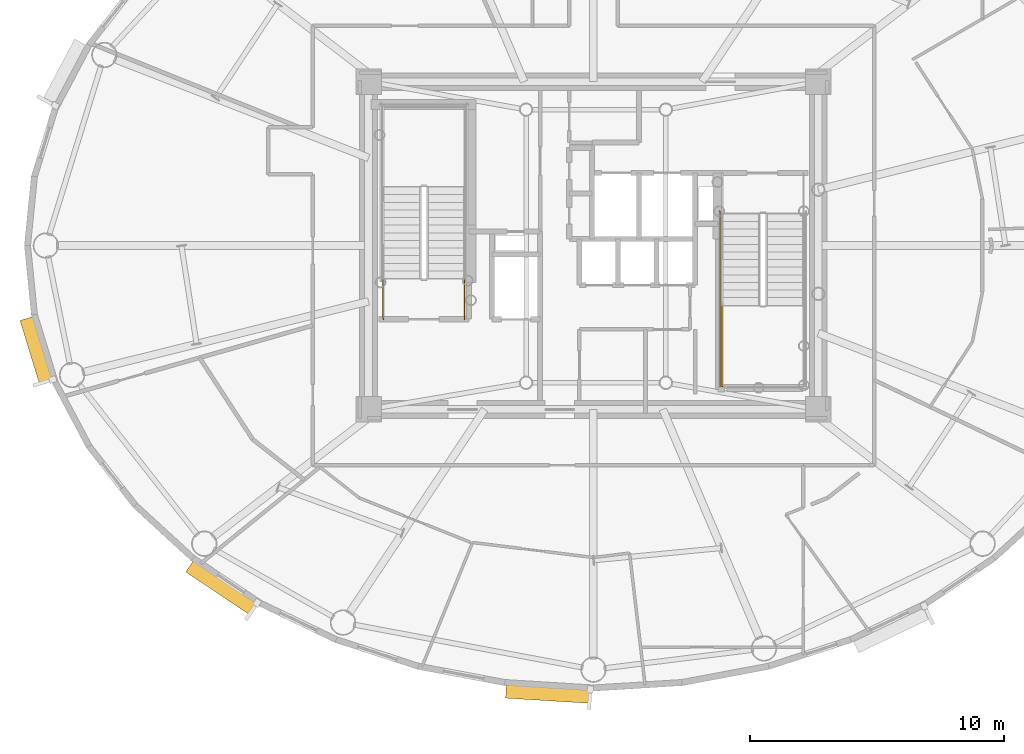
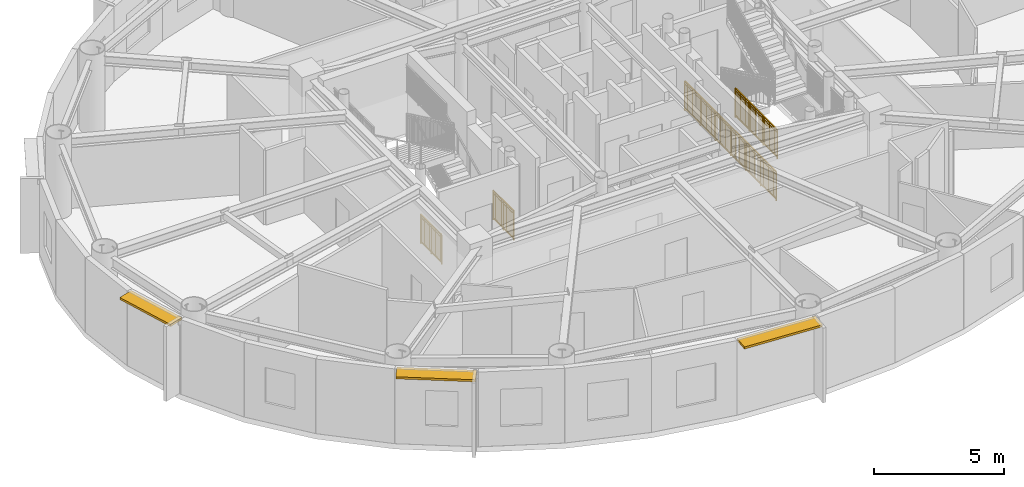
# One storey, part 11 of 17: 4 railings, 3 shading devices.
"""IFC4 building model written with IfcOpenShell, lengths in metres."""

import ifcopenshell
import ifcopenshell.guid

model = None  # the IFC model being written
_history = None  # IfcOwnerHistory: only IFC2X3 demands one
_inside = {}  # id of a spatial element -> (the spatial element, [elements in it])
_under = {}  # id of a project, library or spatial element -> (it, [spatial elements below it])
_declared = {}  # id of a project -> (the project, [libraries it declares])
_typed = {}  # id of a type object -> (the type object, [elements of that type])
_made_of = {}  # id of a material, layer set ... -> (it, [elements and type objects made of it])


def new_model(schema):
    """Start an empty IFC model of exactly this schema.

    Asked for "IFC4X3", IfcOpenShell would pick the latest addendum, in which some entities
    have other attributes; the version numbers below select the first issue.
    IFC2X3 requires an IfcOwnerHistory on every rooted entity: one is made here for all.
    """
    global model, _history
    if schema == "IFC4X3":
        model = ifcopenshell.file(schema_version=(4, 3, 0, 0))
    else:
        model = ifcopenshell.file(schema=schema)
    _inside.clear()
    _under.clear()
    _declared.clear()
    _typed.clear()
    _made_of.clear()
    _history = None
    if model.schema == "IFC2X3":
        org = make("IfcOrganization", Name="unknown")
        user = make(
            "IfcPersonAndOrganization",
            ThePerson=make("IfcPerson", FamilyName="unknown"),
            TheOrganization=org,
        )
        app = make(
            "IfcApplication",
            ApplicationDeveloper=org,
            Version="unknown",
            ApplicationFullName="unknown",
            ApplicationIdentifier="unknown",
        )
        _history = make(
            "IfcOwnerHistory",
            OwningUser=user,
            OwningApplication=app,
            ChangeAction="ADDED",
            CreationDate=0,
        )
    return model


def make(cls, **values):
    """One entity of the class cls with the attributes given. An attribute that is None is left unset."""
    return model.create_entity(
        cls, **{name: value for name, value in values.items() if value is not None}
    )


def rooted(cls, **values):
    """An entity with a GlobalId (a new one), such as an element, a storey or a relation."""
    return make(cls, GlobalId=ifcopenshell.guid.new(), OwnerHistory=_history, **values)


def si_unit(unit_type, name, prefix=None):
    """IfcSIUnit, for example si_unit("LENGTHUNIT", "METRE", prefix="MILLI")."""
    return make("IfcSIUnit", UnitType=unit_type, Prefix=prefix, Name=name)


def assignment(units):
    """IfcUnitAssignment: the units of a project."""
    return None if units is None else make("IfcUnitAssignment", Units=units)


def point(xyz):
    """IfcCartesianPoint."""
    return None if xyz is None else make("IfcCartesianPoint", Coordinates=xyz)


def direction(xyz):
    """IfcDirection."""
    return None if xyz is None else make("IfcDirection", DirectionRatios=xyz)


def frame(location, z_axis=None, x_axis=None):
    """IfcAxis2Placement3D, a coordinate frame: its origin and axes. An axis left out is left unset."""
    return make(
        "IfcAxis2Placement3D",
        Location=point(location),
        Axis=direction(z_axis),
        RefDirection=direction(x_axis),
    )


def frame_2d(location, x_axis=None):
    """IfcAxis2Placement2D, a coordinate frame in the plane: its origin and x axis."""
    return make(
        "IfcAxis2Placement2D", Location=point(location), RefDirection=direction(x_axis)
    )


def origin():
    """The frame at (0, 0, 0) with its axes left unset."""
    return frame((0.0, 0.0, 0.0))


def origin_2d():
    """The frame at (0, 0) in the plane with its x axis left unset."""
    return frame_2d((0.0, 0.0))


def place(relative_to, where):
    """IfcLocalPlacement: puts the frame where relative to a parent placement (None: the world)."""
    return make(
        "IfcLocalPlacement", PlacementRelTo=relative_to, RelativePlacement=where
    )


def context(
    kind, dimensions, precision=None, world=None, true_north=None, identifier=None
):
    """IfcGeometricRepresentationContext, for example the 3D "Model" context."""
    return make(
        "IfcGeometricRepresentationContext",
        ContextIdentifier=identifier,
        ContextType=kind,
        CoordinateSpaceDimension=dimensions,
        Precision=precision,
        WorldCoordinateSystem=world,
        TrueNorth=true_north,
    )


def subcontext(parent, identifier, kind, view, scale=None):
    """IfcGeometricRepresentationSubContext, for example "Body" below "Model"."""
    return make(
        "IfcGeometricRepresentationSubContext",
        ContextIdentifier=identifier,
        ContextType=kind,
        ParentContext=parent,
        TargetScale=scale,
        TargetView=view,
    )


def project(units=None, contexts=None):
    """IfcProject with its units and contexts."""
    return rooted(
        "IfcProject",
        Name="project",
        RepresentationContexts=contexts,
        UnitsInContext=assignment(units),
    )


def spatial(cls, under=None, at=None, **own):
    """A site, building, storey or space (cls), placed at a placement, below another one or the project."""
    s = rooted(cls, ObjectPlacement=at, **own)
    if under is not None:
        _under.setdefault(under.id(), (under, []))[1].append(s)
    return s


def profile(cls, at=None, kind="AREA", **sizes):
    """A parametric profile (cls). Its sizes go by their IFC names, for example OverallWidth=200.0."""
    return make(cls, ProfileType=kind, Position=at, **sizes)


def rectangle(**sizes):
    """IfcRectangleProfileDef."""
    return profile("IfcRectangleProfileDef", **sizes)


def extrude(swept, where, along, depth):
    """IfcExtrudedAreaSolid: the profile swept, set in the frame where, extruded along a direction by depth."""
    return make(
        "IfcExtrudedAreaSolid",
        SweptArea=swept,
        Position=where,
        ExtrudedDirection=direction(along),
        Depth=depth,
    )


def shape(context_of_items, identifier, shape_type, items):
    """IfcShapeRepresentation: the items that make up one representation, for example the "Body"."""
    return make(
        "IfcShapeRepresentation",
        ContextOfItems=context_of_items,
        RepresentationIdentifier=identifier,
        RepresentationType=shape_type,
        Items=items,
    )


def source(mapping_origin, context_of_items, identifier, shape_type, items):
    """IfcRepresentationMap: a shape defined once, which mapped items show again and again."""
    return make(
        "IfcRepresentationMap",
        MappingOrigin=mapping_origin,
        MappedRepresentation=shape(context_of_items, identifier, shape_type, items),
    )


def transform(
    local_origin,
    x_axis=None,
    y_axis=None,
    z_axis=None,
    scale=None,
    scale2=None,
    scale3=None,
    uniform=True,
):
    """IfcCartesianTransformationOperator3D, or its non-uniform kind. x_axis, y_axis, z_axis: its Axis1, 2, 3."""
    if uniform:
        return make(
            "IfcCartesianTransformationOperator3D",
            Axis1=direction(x_axis),
            Axis2=direction(y_axis),
            LocalOrigin=point(local_origin),
            Scale=scale,
            Axis3=direction(z_axis),
        )
    return make(
        "IfcCartesianTransformationOperator3DnonUniform",
        Axis1=direction(x_axis),
        Axis2=direction(y_axis),
        LocalOrigin=point(local_origin),
        Scale=scale,
        Axis3=direction(z_axis),
        Scale2=scale2,
        Scale3=scale3,
    )


def mapped(mapping_source, mapping_target):
    """IfcMappedItem: shows the shape of a source again, moved by a transform."""
    return make(
        "IfcMappedItem", MappingSource=mapping_source, MappingTarget=mapping_target
    )


def material(Name=None, Category=None):
    """IfcMaterial."""
    return make("IfcMaterial", Name=Name, Category=Category)


def layer(
    of_material, thickness, ventilated=None, Name=None, Category=None, Priority=None
):
    """IfcMaterialLayer: one layer of a wall or slab, of a material (None: an air gap)."""
    return make(
        "IfcMaterialLayer",
        Material=of_material,
        LayerThickness=thickness,
        IsVentilated=ventilated,
        Name=Name,
        Category=Category,
        Priority=Priority,
    )


def layer_set(layers, Name=None):
    """IfcMaterialLayerSet."""
    return make("IfcMaterialLayerSet", MaterialLayers=layers, LayerSetName=Name)


def made_of(thing, what):
    """Note that an element or type object is made of a material, layer set ...; save() writes the relation."""
    if what is not None:
        _made_of.setdefault(what.id(), (what, []))[1].append(thing)
    return thing


def type_object(cls, material=None, **own):
    """A type object (cls), such as IfcWallType, which elements share."""
    return made_of(rooted(cls, **own), material)


def element(
    cls,
    number,
    at=None,
    inside=None,
    cuts=None,
    type_object=None,
    material=None,
    context=None,
    identifier="Body",
    shape_type=None,
    held_by="IfcProductDefinitionShape",
    body=None,
    shapes=None,
    **own,
):
    """One element of the class cls, such as IfcWall. Its Tag is "e" and its number.

    at: its placement. inside: the storey or other place that contains it. cuts: it is an
    opening in that element (IfcRelVoidsElement). A single representation is given by context,
    identifier, shape_type and body (its items); several are given by shapes. held_by: the class
    of the entity that holds the representations. save() writes the other relations.
    """
    e = rooted(cls, Tag="e%d" % number, ObjectPlacement=at, **own)
    if body is not None:
        shapes = [shape(context, identifier, shape_type, body)]
    if shapes is not None:
        e.Representation = make(held_by, Representations=shapes)
    if inside is not None:
        _inside.setdefault(inside.id(), (inside, []))[1].append(e)
    if cuts is not None:
        rooted(
            "IfcRelVoidsElement", RelatingBuildingElement=cuts, RelatedOpeningElement=e
        )
    if type_object is not None:
        _typed.setdefault(type_object.id(), (type_object, []))[1].append(e)
    return made_of(e, material)


def aggregate(whole, parts):
    """IfcRelAggregates: a whole, such as a stair, and the parts it consists of."""
    return rooted("IfcRelAggregates", RelatingObject=whole, RelatedObjects=parts)


def save(model, path):
    """Write the relations noted so far, then the file.

    IfcRelAggregates (storeys below a building ...), IfcRelContainedInSpatialStructure (elements
    in a storey), IfcRelDefinesByType, IfcRelAssociatesMaterial and IfcRelDeclares: one each for
    every whole, place, type object, material and project.
    """
    for whole, parts in _under.values():
        aggregate(whole, parts)
    for where, things in _inside.values():
        rooted(
            "IfcRelContainedInSpatialStructure",
            RelatedElements=things,
            RelatingStructure=where,
        )
    for kind, things in _typed.values():
        rooted("IfcRelDefinesByType", RelatedObjects=things, RelatingType=kind)
    for what, things in _made_of.values():
        rooted("IfcRelAssociatesMaterial", RelatedObjects=things, RelatingMaterial=what)
    for by, libraries in _declared.values():
        rooted("IfcRelDeclares", RelatingContext=by, RelatedDefinitions=libraries)
    model.write(path)


model = new_model("IFC4")

# Units and contexts
model_context = context("Model", 3, precision=1e-05, world=origin(), true_north=direction((0.0, 1.0)))
body_context = subcontext(model_context, "Body", "Model", "MODEL_VIEW")
ifc_project = project(units=[si_unit("LENGTHUNIT", "METRE"), si_unit("AREAUNIT", "SQUARE_METRE"), si_unit("VOLUMEUNIT", "CUBIC_METRE"), si_unit("PLANEANGLEUNIT", "RADIAN"), si_unit("MASSUNIT", "GRAM", prefix="KILO")], contexts=[model_context])

# Site, building, storey
site_placement = place(None, origin())
site = spatial("IfcSite", under=ifc_project, at=site_placement, CompositionType="ELEMENT")
building_placement = place(site_placement, origin())
building = spatial("IfcBuilding", under=site, at=building_placement, Name="Linh Dai School and Residence Tower", CompositionType="ELEMENT")
storey_placement = place(building_placement, frame((0.0, 0.0, 310.5)))
storey = spatial("IfcBuildingStorey", under=building, at=storey_placement, Name="L77", CompositionType="ELEMENT", Elevation=310.5)

# Shading devices
ifc_material_1 = material(Name="Terracotta Ceramic Sunshade", Category="masonry")
ifc_layer = layer(ifc_material_1, 0.10009765625)
ifc_layer_set = layer_set([ifc_layer], Name="Terracotta Ceramic Sunshade")
shading_device_type = type_object("IfcShadingDeviceType", Name="SHD-TC-650", PredefinedType="USERDEFINED", material=ifc_layer_set)
shared_shape_1 = source(origin(), body_context, "Body", "SweptSolid", [
    extrude(rectangle(XDim=2.6640625, YDim=0.64990234375, at=origin_2d()), origin(), (0.0, 0.0, 1.0), 0.10009765625),
])
shading_device_1_placement = place(storey_placement, frame((14.132568359375, 22.870849609375, 3.3798828125), z_axis=(0.0, 0.0, 1.0), x_axis=(-0.293140945944, 0.956069236934, 0.0)))
element("IfcShadingDevice", 1, at=shading_device_1_placement, inside=storey, type_object=shading_device_type, Name="L77 Terracotta Horizontal Sunshade Band 22", ObjectType="SUNSHADE", PredefinedType="USERDEFINED", context=body_context, shape_type="MappedRepresentation", body=[
    mapped(shared_shape_1, transform((0.0, 0.0, 0.0), x_axis=(1.0, 0.0, 0.0), y_axis=(0.0, 1.0, 0.0), z_axis=(0.0, 0.0, 1.0), scale=1.0)),
])
shared_shape_2 = source(origin(), body_context, "Body", "SweptSolid", [
    extrude(rectangle(XDim=3.069091796875, YDim=0.64990234375, at=origin_2d()), origin(), (0.0, 0.0, 1.0), 0.10009765625),
])
shading_device_2_placement = place(storey_placement, frame((21.408203125, 13.5703125, 3.3798828125), z_axis=(0.0, 0.0, 1.0), x_axis=(-0.831245318631, 0.555905765624, 0.0)))
element("IfcShadingDevice", 2, at=shading_device_2_placement, inside=storey, type_object=shading_device_type, Name="L77 Terracotta Horizontal Sunshade Band 26", ObjectType="SUNSHADE", PredefinedType="USERDEFINED", context=body_context, shape_type="MappedRepresentation", body=[
    mapped(shared_shape_2, transform((0.0, 0.0, 0.0), x_axis=(1.0, 0.0, 0.0), y_axis=(0.0, 1.0, 0.0), z_axis=(0.0, 0.0, 1.0), scale=1.0)),
])
shared_shape_3 = source(origin(), body_context, "Body", "SweptSolid", [
    extrude(rectangle(XDim=3.355712890625, YDim=0.64990234375, at=origin_2d()), origin(), (0.0, 0.0, 1.0), 0.10009765625),
])
shading_device_3_placement = place(storey_placement, frame((34.238037109375, 9.407958984375, 3.3798828125), z_axis=(0.0, 0.0, 1.0), x_axis=(-0.998106469364, 0.061509965157, 0.0)))
element("IfcShadingDevice", 3, at=shading_device_3_placement, inside=storey, type_object=shading_device_type, Name="L77 Terracotta Horizontal Sunshade Band 30", ObjectType="SUNSHADE", PredefinedType="USERDEFINED", context=body_context, shape_type="MappedRepresentation", body=[
    mapped(shared_shape_3, transform((0.0, 0.0, 0.0), x_axis=(1.0, 0.0, 0.0), y_axis=(0.0, 1.0, 0.0), z_axis=(0.0, 0.0, 1.0), scale=1.0)),
])

# Railings
ifc_material_2 = material(Name="Structural Steel S355JR", Category="steel")
railing_type = type_object("IfcRailingType", Name="RL-ST-GUARD-1400", PredefinedType="GUARDRAIL", material=ifc_material_2)
shared_shape_4 = source(origin(), body_context, "Body", "SweptSolid", [
    extrude(rectangle(XDim=0.048095703125, YDim=0.048095703125, at=origin_2d()), frame((0.0, 0.0, 1.3759765625), z_axis=(0.0, 1.0, 0.0), x_axis=(-1.0, 0.0, 0.0)), (0.0, 0.0, 1.0), 1.599853515625),
    extrude(rectangle(XDim=0.048095703125, YDim=0.048095703125, at=origin_2d()), frame((0.0, 0.0, 0.10009765625), z_axis=(0.0, 1.0, 0.0), x_axis=(-1.0, 0.0, 0.0)), (0.0, 0.0, 1.0), 1.599853515625),
    extrude(rectangle(XDim=0.030029296875, YDim=0.030029296875, at=origin_2d()), frame((0.0, 0.0, 1.239990234375), z_axis=(0.0, 1.0, 0.0), x_axis=(-1.0, 0.0, 0.0)), (0.0, 0.0, 1.0), 1.599853515625),
    extrude(rectangle(XDim=0.02001953125, YDim=0.02001953125, at=origin_2d()), frame((0.0, 0.093994140625, 0.10009765625)), (0.0, 0.0, 1.0), 1.251708984375),
    extrude(rectangle(XDim=0.02001953125, YDim=0.02001953125, at=origin_2d()), frame((0.0, 0.188232421875, 0.10009765625)), (0.0, 0.0, 1.0), 1.251708984375),
    extrude(rectangle(XDim=0.02001953125, YDim=0.02001953125, at=origin_2d()), frame((0.0, 0.2822265625, 0.10009765625)), (0.0, 0.0, 1.0), 1.251708984375),
    extrude(rectangle(XDim=0.02001953125, YDim=0.02001953125, at=origin_2d()), frame((0.0, 0.37646484375, 0.10009765625)), (0.0, 0.0, 1.0), 1.251708984375),
    extrude(rectangle(XDim=0.02001953125, YDim=0.02001953125, at=origin_2d()), frame((0.0, 0.470458984375, 0.10009765625)), (0.0, 0.0, 1.0), 1.251708984375),
    extrude(rectangle(XDim=0.02001953125, YDim=0.02001953125, at=origin_2d()), frame((0.0, 0.564697265625, 0.10009765625)), (0.0, 0.0, 1.0), 1.251708984375),
    extrude(rectangle(XDim=0.02001953125, YDim=0.02001953125, at=origin_2d()), frame((0.0, 0.65869140625, 0.10009765625)), (0.0, 0.0, 1.0), 1.251708984375),
    extrude(rectangle(XDim=0.02001953125, YDim=0.02001953125, at=origin_2d()), frame((0.0, 0.7529296875, 0.10009765625)), (0.0, 0.0, 1.0), 1.251708984375),
    extrude(rectangle(XDim=0.02001953125, YDim=0.02001953125, at=origin_2d()), frame((0.0, 0.846923828125, 0.10009765625)), (0.0, 0.0, 1.0), 1.251708984375),
    extrude(rectangle(XDim=0.02001953125, YDim=0.02001953125, at=origin_2d()), frame((0.0, 0.941162109375, 0.10009765625)), (0.0, 0.0, 1.0), 1.251708984375),
    extrude(rectangle(XDim=0.02001953125, YDim=0.02001953125, at=origin_2d()), frame((0.0, 1.03515625, 0.10009765625)), (0.0, 0.0, 1.0), 1.251708984375),
    extrude(rectangle(XDim=0.02001953125, YDim=0.02001953125, at=origin_2d()), frame((0.0, 1.12939453125, 0.10009765625)), (0.0, 0.0, 1.0), 1.251708984375),
    extrude(rectangle(XDim=0.02001953125, YDim=0.02001953125, at=origin_2d()), frame((0.0, 1.223388671875, 0.10009765625)), (0.0, 0.0, 1.0), 1.251708984375),
    extrude(rectangle(XDim=0.02001953125, YDim=0.02001953125, at=origin_2d()), frame((0.0, 1.317626953125, 0.10009765625)), (0.0, 0.0, 1.0), 1.251708984375),
    extrude(rectangle(XDim=0.02001953125, YDim=0.02001953125, at=origin_2d()), frame((0.0, 1.41162109375, 0.10009765625)), (0.0, 0.0, 1.0), 1.251708984375),
    extrude(rectangle(XDim=0.02001953125, YDim=0.02001953125, at=origin_2d()), frame((0.0, 1.505859375, 0.10009765625)), (0.0, 0.0, 1.0), 1.251708984375),
    extrude(rectangle(XDim=0.0419921875, YDim=0.0419921875, at=origin_2d()), origin(), (0.0, 0.0, 1.0), 1.3759765625),
    extrude(rectangle(XDim=0.0419921875, YDim=0.0419921875, at=origin_2d()), frame((0.0, 0.7998046875, 0.0)), (0.0, 0.0, 1.0), 1.3759765625),
    extrude(rectangle(XDim=0.0419921875, YDim=0.0419921875, at=origin_2d()), frame((0.0, 1.599853515625, 0.0)), (0.0, 0.0, 1.0), 1.3759765625),
])
for number, where, name in (
    (4, (30.929931640625, 24.10009765625, 0.0), "L77 ST1 stair guard 8"),
    (5, (27.72998046875, 24.10009765625, 0.0), "L77 ST1 stair guard 9"),
):
    element("IfcRailing", number, at=place(storey_placement, frame(where)), inside=storey, type_object=railing_type, Name=name, PredefinedType="GUARDRAIL", context=body_context, shape_type="MappedRepresentation", body=[
        mapped(shared_shape_4, transform((0.0, 0.0, 0.0), x_axis=(1.0, 0.0, 0.0), y_axis=(0.0, 1.0, 0.0), z_axis=(0.0, 0.0, 1.0), scale=1.0)),
    ])
shared_shape_5 = source(origin(), body_context, "Body", "SweptSolid", [
    extrude(rectangle(XDim=0.048095703125, YDim=0.048095703125, at=origin_2d()), frame((0.0, 0.0, 1.3759765625), z_axis=(0.0, -1.0, 0.0), x_axis=(1.0, 0.0, 0.0)), (0.0, 0.0, 1.0), 7.0),
    extrude(rectangle(XDim=0.048095703125, YDim=0.048095703125, at=origin_2d()), frame((0.0, 0.0, 0.10009765625), z_axis=(0.0, -1.0, 0.0), x_axis=(1.0, 0.0, 0.0)), (0.0, 0.0, 1.0), 7.0),
    extrude(rectangle(XDim=0.030029296875, YDim=0.030029296875, at=origin_2d()), frame((0.0, 0.0, 1.239990234375), z_axis=(0.0, -1.0, 0.0), x_axis=(1.0, 0.0, 0.0)), (0.0, 0.0, 1.0), 7.0),
    extrude(rectangle(XDim=0.02001953125, YDim=0.02001953125, at=origin_2d()), frame((0.0, -0.09716796875, 0.10009765625)), (0.0, 0.0, 1.0), 1.251708984375),
    extrude(rectangle(XDim=0.02001953125, YDim=0.02001953125, at=origin_2d()), frame((0.0, -0.1943359375, 0.10009765625)), (0.0, 0.0, 1.0), 1.251708984375),
    extrude(rectangle(XDim=0.02001953125, YDim=0.02001953125, at=origin_2d()), frame((0.0, -0.291748046875, 0.10009765625)), (0.0, 0.0, 1.0), 1.251708984375),
    extrude(rectangle(XDim=0.02001953125, YDim=0.02001953125, at=origin_2d()), frame((0.0, -0.388916015625, 0.10009765625)), (0.0, 0.0, 1.0), 1.251708984375),
    extrude(rectangle(XDim=0.02001953125, YDim=0.02001953125, at=origin_2d()), frame((0.0, -0.486083984375, 0.10009765625)), (0.0, 0.0, 1.0), 1.251708984375),
    extrude(rectangle(XDim=0.02001953125, YDim=0.02001953125, at=origin_2d()), frame((0.0, -0.583251953125, 0.10009765625)), (0.0, 0.0, 1.0), 1.251708984375),
    extrude(rectangle(XDim=0.02001953125, YDim=0.02001953125, at=origin_2d()), frame((0.0, -0.6806640625, 0.10009765625)), (0.0, 0.0, 1.0), 1.251708984375),
    extrude(rectangle(XDim=0.02001953125, YDim=0.02001953125, at=origin_2d()), frame((0.0, -0.77783203125, 0.10009765625)), (0.0, 0.0, 1.0), 1.251708984375),
    extrude(rectangle(XDim=0.02001953125, YDim=0.02001953125, at=origin_2d()), frame((0.0, -0.875, 0.10009765625)), (0.0, 0.0, 1.0), 1.251708984375),
    extrude(rectangle(XDim=0.02001953125, YDim=0.02001953125, at=origin_2d()), frame((0.0, -0.97216796875, 0.10009765625)), (0.0, 0.0, 1.0), 1.251708984375),
    extrude(rectangle(XDim=0.02001953125, YDim=0.02001953125, at=origin_2d()), frame((0.0, -1.0693359375, 0.10009765625)), (0.0, 0.0, 1.0), 1.251708984375),
    extrude(rectangle(XDim=0.02001953125, YDim=0.02001953125, at=origin_2d()), frame((0.0, -1.263916015625, 0.10009765625)), (0.0, 0.0, 1.0), 1.251708984375),
    extrude(rectangle(XDim=0.02001953125, YDim=0.02001953125, at=origin_2d()), frame((0.0, -1.361083984375, 0.10009765625)), (0.0, 0.0, 1.0), 1.251708984375),
    extrude(rectangle(XDim=0.02001953125, YDim=0.02001953125, at=origin_2d()), frame((0.0, -1.458251953125, 0.10009765625)), (0.0, 0.0, 1.0), 1.251708984375),
    extrude(rectangle(XDim=0.02001953125, YDim=0.02001953125, at=origin_2d()), frame((0.0, -1.5556640625, 0.10009765625)), (0.0, 0.0, 1.0), 1.251708984375),
    extrude(rectangle(XDim=0.02001953125, YDim=0.02001953125, at=origin_2d()), frame((0.0, -1.65283203125, 0.10009765625)), (0.0, 0.0, 1.0), 1.251708984375),
    extrude(rectangle(XDim=0.02001953125, YDim=0.02001953125, at=origin_2d()), frame((0.0, -1.75, 0.10009765625)), (0.0, 0.0, 1.0), 1.251708984375),
    extrude(rectangle(XDim=0.02001953125, YDim=0.02001953125, at=origin_2d()), frame((0.0, -1.84716796875, 0.10009765625)), (0.0, 0.0, 1.0), 1.251708984375),
    extrude(rectangle(XDim=0.02001953125, YDim=0.02001953125, at=origin_2d()), frame((0.0, -1.9443359375, 0.10009765625)), (0.0, 0.0, 1.0), 1.251708984375),
    extrude(rectangle(XDim=0.02001953125, YDim=0.02001953125, at=origin_2d()), frame((0.0, -2.041748046875, 0.10009765625)), (0.0, 0.0, 1.0), 1.251708984375),
    extrude(rectangle(XDim=0.02001953125, YDim=0.02001953125, at=origin_2d()), frame((0.0, -2.138916015625, 0.10009765625)), (0.0, 0.0, 1.0), 1.251708984375),
    extrude(rectangle(XDim=0.02001953125, YDim=0.02001953125, at=origin_2d()), frame((0.0, -2.236083984375, 0.10009765625)), (0.0, 0.0, 1.0), 1.251708984375),
    extrude(rectangle(XDim=0.02001953125, YDim=0.02001953125, at=origin_2d()), frame((0.0, -2.4306640625, 0.10009765625)), (0.0, 0.0, 1.0), 1.251708984375),
    extrude(rectangle(XDim=0.02001953125, YDim=0.02001953125, at=origin_2d()), frame((0.0, -2.52783203125, 0.10009765625)), (0.0, 0.0, 1.0), 1.251708984375),
    extrude(rectangle(XDim=0.02001953125, YDim=0.02001953125, at=origin_2d()), frame((0.0, -2.625, 0.10009765625)), (0.0, 0.0, 1.0), 1.251708984375),
    extrude(rectangle(XDim=0.02001953125, YDim=0.02001953125, at=origin_2d()), frame((0.0, -2.72216796875, 0.10009765625)), (0.0, 0.0, 1.0), 1.251708984375),
    extrude(rectangle(XDim=0.02001953125, YDim=0.02001953125, at=origin_2d()), frame((0.0, -2.8193359375, 0.10009765625)), (0.0, 0.0, 1.0), 1.251708984375),
    extrude(rectangle(XDim=0.02001953125, YDim=0.02001953125, at=origin_2d()), frame((0.0, -2.916748046875, 0.10009765625)), (0.0, 0.0, 1.0), 1.251708984375),
    extrude(rectangle(XDim=0.02001953125, YDim=0.02001953125, at=origin_2d()), frame((0.0, -3.013916015625, 0.10009765625)), (0.0, 0.0, 1.0), 1.251708984375),
    extrude(rectangle(XDim=0.02001953125, YDim=0.02001953125, at=origin_2d()), frame((0.0, -3.111083984375, 0.10009765625)), (0.0, 0.0, 1.0), 1.251708984375),
    extrude(rectangle(XDim=0.02001953125, YDim=0.02001953125, at=origin_2d()), frame((0.0, -3.208251953125, 0.10009765625)), (0.0, 0.0, 1.0), 1.251708984375),
    extrude(rectangle(XDim=0.02001953125, YDim=0.02001953125, at=origin_2d()), frame((0.0, -3.3056640625, 0.10009765625)), (0.0, 0.0, 1.0), 1.251708984375),
    extrude(rectangle(XDim=0.02001953125, YDim=0.02001953125, at=origin_2d()), frame((0.0, -3.40283203125, 0.10009765625)), (0.0, 0.0, 1.0), 1.251708984375),
    extrude(rectangle(XDim=0.02001953125, YDim=0.02001953125, at=origin_2d()), frame((0.0, -3.59716796875, 0.10009765625)), (0.0, 0.0, 1.0), 1.251708984375),
    extrude(rectangle(XDim=0.02001953125, YDim=0.02001953125, at=origin_2d()), frame((0.0, -3.6943359375, 0.10009765625)), (0.0, 0.0, 1.0), 1.251708984375),
    extrude(rectangle(XDim=0.02001953125, YDim=0.02001953125, at=origin_2d()), frame((0.0, -3.791748046875, 0.10009765625)), (0.0, 0.0, 1.0), 1.251708984375),
    extrude(rectangle(XDim=0.02001953125, YDim=0.02001953125, at=origin_2d()), frame((0.0, -3.888916015625, 0.10009765625)), (0.0, 0.0, 1.0), 1.251708984375),
    extrude(rectangle(XDim=0.02001953125, YDim=0.02001953125, at=origin_2d()), frame((0.0, -3.986083984375, 0.10009765625)), (0.0, 0.0, 1.0), 1.251708984375),
    extrude(rectangle(XDim=0.02001953125, YDim=0.02001953125, at=origin_2d()), frame((0.0, -4.083251953125, 0.10009765625)), (0.0, 0.0, 1.0), 1.251708984375),
    extrude(rectangle(XDim=0.02001953125, YDim=0.02001953125, at=origin_2d()), frame((0.0, -4.1806640625, 0.10009765625)), (0.0, 0.0, 1.0), 1.251708984375),
    extrude(rectangle(XDim=0.02001953125, YDim=0.02001953125, at=origin_2d()), frame((0.0, -4.27783203125, 0.10009765625)), (0.0, 0.0, 1.0), 1.251708984375),
    extrude(rectangle(XDim=0.02001953125, YDim=0.02001953125, at=origin_2d()), frame((0.0, -4.375, 0.10009765625)), (0.0, 0.0, 1.0), 1.251708984375),
    extrude(rectangle(XDim=0.02001953125, YDim=0.02001953125, at=origin_2d()), frame((0.0, -4.47216796875, 0.10009765625)), (0.0, 0.0, 1.0), 1.251708984375),
    extrude(rectangle(XDim=0.02001953125, YDim=0.02001953125, at=origin_2d()), frame((0.0, -4.5693359375, 0.10009765625)), (0.0, 0.0, 1.0), 1.251708984375),
    extrude(rectangle(XDim=0.02001953125, YDim=0.02001953125, at=origin_2d()), frame((0.0, -4.763916015625, 0.10009765625)), (0.0, 0.0, 1.0), 1.251708984375),
    extrude(rectangle(XDim=0.02001953125, YDim=0.02001953125, at=origin_2d()), frame((0.0, -4.861083984375, 0.10009765625)), (0.0, 0.0, 1.0), 1.251708984375),
    extrude(rectangle(XDim=0.02001953125, YDim=0.02001953125, at=origin_2d()), frame((0.0, -4.958251953125, 0.10009765625)), (0.0, 0.0, 1.0), 1.251708984375),
    extrude(rectangle(XDim=0.02001953125, YDim=0.02001953125, at=origin_2d()), frame((0.0, -5.0556640625, 0.10009765625)), (0.0, 0.0, 1.0), 1.251708984375),
    extrude(rectangle(XDim=0.02001953125, YDim=0.02001953125, at=origin_2d()), frame((0.0, -5.15283203125, 0.10009765625)), (0.0, 0.0, 1.0), 1.251708984375),
    extrude(rectangle(XDim=0.02001953125, YDim=0.02001953125, at=origin_2d()), frame((0.0, -5.25, 0.10009765625)), (0.0, 0.0, 1.0), 1.251708984375),
    extrude(rectangle(XDim=0.02001953125, YDim=0.02001953125, at=origin_2d()), frame((0.0, -5.34716796875, 0.10009765625)), (0.0, 0.0, 1.0), 1.251708984375),
    extrude(rectangle(XDim=0.02001953125, YDim=0.02001953125, at=origin_2d()), frame((0.0, -5.4443359375, 0.10009765625)), (0.0, 0.0, 1.0), 1.251708984375),
    extrude(rectangle(XDim=0.02001953125, YDim=0.02001953125, at=origin_2d()), frame((0.0, -5.541748046875, 0.10009765625)), (0.0, 0.0, 1.0), 1.251708984375),
    extrude(rectangle(XDim=0.02001953125, YDim=0.02001953125, at=origin_2d()), frame((0.0, -5.638916015625, 0.10009765625)), (0.0, 0.0, 1.0), 1.251708984375),
    extrude(rectangle(XDim=0.02001953125, YDim=0.02001953125, at=origin_2d()), frame((0.0, -5.736083984375, 0.10009765625)), (0.0, 0.0, 1.0), 1.251708984375),
    extrude(rectangle(XDim=0.02001953125, YDim=0.02001953125, at=origin_2d()), frame((0.0, -5.9306640625, 0.10009765625)), (0.0, 0.0, 1.0), 1.251708984375),
    extrude(rectangle(XDim=0.02001953125, YDim=0.02001953125, at=origin_2d()), frame((0.0, -6.02783203125, 0.10009765625)), (0.0, 0.0, 1.0), 1.251708984375),
    extrude(rectangle(XDim=0.02001953125, YDim=0.02001953125, at=origin_2d()), frame((0.0, -6.125, 0.10009765625)), (0.0, 0.0, 1.0), 1.251708984375),
    extrude(rectangle(XDim=0.02001953125, YDim=0.02001953125, at=origin_2d()), frame((0.0, -6.22216796875, 0.10009765625)), (0.0, 0.0, 1.0), 1.251708984375),
    extrude(rectangle(XDim=0.02001953125, YDim=0.02001953125, at=origin_2d()), frame((0.0, -6.3193359375, 0.10009765625)), (0.0, 0.0, 1.0), 1.251708984375),
    extrude(rectangle(XDim=0.02001953125, YDim=0.02001953125, at=origin_2d()), frame((0.0, -6.416748046875, 0.10009765625)), (0.0, 0.0, 1.0), 1.251708984375),
    extrude(rectangle(XDim=0.02001953125, YDim=0.02001953125, at=origin_2d()), frame((0.0, -6.513916015625, 0.10009765625)), (0.0, 0.0, 1.0), 1.251708984375),
    extrude(rectangle(XDim=0.02001953125, YDim=0.02001953125, at=origin_2d()), frame((0.0, -6.611083984375, 0.10009765625)), (0.0, 0.0, 1.0), 1.251708984375),
    extrude(rectangle(XDim=0.02001953125, YDim=0.02001953125, at=origin_2d()), frame((0.0, -6.708251953125, 0.10009765625)), (0.0, 0.0, 1.0), 1.251708984375),
    extrude(rectangle(XDim=0.02001953125, YDim=0.02001953125, at=origin_2d()), frame((0.0, -6.8056640625, 0.10009765625)), (0.0, 0.0, 1.0), 1.251708984375),
    extrude(rectangle(XDim=0.02001953125, YDim=0.02001953125, at=origin_2d()), frame((0.0, -6.90283203125, 0.10009765625)), (0.0, 0.0, 1.0), 1.251708984375),
    extrude(rectangle(XDim=0.0419921875, YDim=0.0419921875, at=origin_2d()), origin(), (0.0, 0.0, 1.0), 1.3759765625),
    extrude(rectangle(XDim=0.0419921875, YDim=0.0419921875, at=origin_2d()), frame((0.0, -1.166748046875, 0.0)), (0.0, 0.0, 1.0), 1.3759765625),
    extrude(rectangle(XDim=0.0419921875, YDim=0.0419921875, at=origin_2d()), frame((0.0, -2.333251953125, 0.0)), (0.0, 0.0, 1.0), 1.3759765625),
    extrude(rectangle(XDim=0.0419921875, YDim=0.0419921875, at=origin_2d()), frame((0.0, -3.5, 0.0)), (0.0, 0.0, 1.0), 1.3759765625),
    extrude(rectangle(XDim=0.0419921875, YDim=0.0419921875, at=origin_2d()), frame((0.0, -4.666748046875, 0.0)), (0.0, 0.0, 1.0), 1.3759765625),
    extrude(rectangle(XDim=0.0419921875, YDim=0.0419921875, at=origin_2d()), frame((0.0, -5.833251953125, 0.0)), (0.0, 0.0, 1.0), 1.3759765625),
    extrude(rectangle(XDim=0.0419921875, YDim=0.0419921875, at=origin_2d()), frame((0.0, -7.0, 0.0)), (0.0, 0.0, 1.0), 1.3759765625),
])
railing_1_placement = place(storey_placement, frame((40.969970703125, 28.35009765625, 0.0)))
element("IfcRailing", 6, at=railing_1_placement, inside=storey, type_object=railing_type, Name="L77 ST2 stair guard 10", PredefinedType="GUARDRAIL", context=body_context, shape_type="MappedRepresentation", body=[
    mapped(shared_shape_5, transform((0.0, 0.0, 0.0), x_axis=(1.0, 0.0, 0.0), y_axis=(0.0, 1.0, 0.0), z_axis=(0.0, 0.0, 1.0), scale=1.0)),
])
shared_shape_6 = source(origin(), body_context, "Body", "SweptSolid", [
    extrude(rectangle(XDim=0.048095703125, YDim=0.048095703125, at=origin_2d()), frame((0.0, 0.0, 1.3759765625), z_axis=(0.0, -1.0, 0.0), x_axis=(1.0, 0.0, 0.0)), (0.0, 0.0, 1.0), 3.199951171875),
    extrude(rectangle(XDim=0.048095703125, YDim=0.048095703125, at=origin_2d()), frame((0.0, 0.0, 0.10009765625), z_axis=(0.0, -1.0, 0.0), x_axis=(1.0, 0.0, 0.0)), (0.0, 0.0, 1.0), 3.199951171875),
    extrude(rectangle(XDim=0.030029296875, YDim=0.030029296875, at=origin_2d()), frame((0.0, 0.0, 1.239990234375), z_axis=(0.0, -1.0, 0.0), x_axis=(1.0, 0.0, 0.0)), (0.0, 0.0, 1.0), 3.199951171875),
    extrude(rectangle(XDim=0.02001953125, YDim=0.02001953125, at=origin_2d()), frame((0.0, -0.096923828125, 0.10009765625)), (0.0, 0.0, 1.0), 1.251708984375),
    extrude(rectangle(XDim=0.02001953125, YDim=0.02001953125, at=origin_2d()), frame((0.0, -0.19384765625, 0.10009765625)), (0.0, 0.0, 1.0), 1.251708984375),
    extrude(rectangle(XDim=0.02001953125, YDim=0.02001953125, at=origin_2d()), frame((0.0, -0.291015625, 0.10009765625)), (0.0, 0.0, 1.0), 1.251708984375),
    extrude(rectangle(XDim=0.02001953125, YDim=0.02001953125, at=origin_2d()), frame((0.0, -0.387939453125, 0.10009765625)), (0.0, 0.0, 1.0), 1.251708984375),
    extrude(rectangle(XDim=0.02001953125, YDim=0.02001953125, at=origin_2d()), frame((0.0, -0.48486328125, 0.10009765625)), (0.0, 0.0, 1.0), 1.251708984375),
    extrude(rectangle(XDim=0.02001953125, YDim=0.02001953125, at=origin_2d()), frame((0.0, -0.581787109375, 0.10009765625)), (0.0, 0.0, 1.0), 1.251708984375),
    extrude(rectangle(XDim=0.02001953125, YDim=0.02001953125, at=origin_2d()), frame((0.0, -0.6787109375, 0.10009765625)), (0.0, 0.0, 1.0), 1.251708984375),
    extrude(rectangle(XDim=0.02001953125, YDim=0.02001953125, at=origin_2d()), frame((0.0, -0.775634765625, 0.10009765625)), (0.0, 0.0, 1.0), 1.251708984375),
    extrude(rectangle(XDim=0.02001953125, YDim=0.02001953125, at=origin_2d()), frame((0.0, -0.872802734375, 0.10009765625)), (0.0, 0.0, 1.0), 1.251708984375),
    extrude(rectangle(XDim=0.02001953125, YDim=0.02001953125, at=origin_2d()), frame((0.0, -0.9697265625, 0.10009765625)), (0.0, 0.0, 1.0), 1.251708984375),
    extrude(rectangle(XDim=0.02001953125, YDim=0.02001953125, at=origin_2d()), frame((0.0, -1.16357421875, 0.10009765625)), (0.0, 0.0, 1.0), 1.251708984375),
    extrude(rectangle(XDim=0.02001953125, YDim=0.02001953125, at=origin_2d()), frame((0.0, -1.260498046875, 0.10009765625)), (0.0, 0.0, 1.0), 1.251708984375),
    extrude(rectangle(XDim=0.02001953125, YDim=0.02001953125, at=origin_2d()), frame((0.0, -1.357666015625, 0.10009765625)), (0.0, 0.0, 1.0), 1.251708984375),
    extrude(rectangle(XDim=0.02001953125, YDim=0.02001953125, at=origin_2d()), frame((0.0, -1.45458984375, 0.10009765625)), (0.0, 0.0, 1.0), 1.251708984375),
    extrude(rectangle(XDim=0.02001953125, YDim=0.02001953125, at=origin_2d()), frame((0.0, -1.551513671875, 0.10009765625)), (0.0, 0.0, 1.0), 1.251708984375),
    extrude(rectangle(XDim=0.02001953125, YDim=0.02001953125, at=origin_2d()), frame((0.0, -1.6484375, 0.10009765625)), (0.0, 0.0, 1.0), 1.251708984375),
    extrude(rectangle(XDim=0.02001953125, YDim=0.02001953125, at=origin_2d()), frame((0.0, -1.745361328125, 0.10009765625)), (0.0, 0.0, 1.0), 1.251708984375),
    extrude(rectangle(XDim=0.02001953125, YDim=0.02001953125, at=origin_2d()), frame((0.0, -1.84228515625, 0.10009765625)), (0.0, 0.0, 1.0), 1.251708984375),
    extrude(rectangle(XDim=0.02001953125, YDim=0.02001953125, at=origin_2d()), frame((0.0, -1.939453125, 0.10009765625)), (0.0, 0.0, 1.0), 1.251708984375),
    extrude(rectangle(XDim=0.02001953125, YDim=0.02001953125, at=origin_2d()), frame((0.0, -2.036376953125, 0.10009765625)), (0.0, 0.0, 1.0), 1.251708984375),
    extrude(rectangle(XDim=0.02001953125, YDim=0.02001953125, at=origin_2d()), frame((0.0, -2.230224609375, 0.10009765625)), (0.0, 0.0, 1.0), 1.251708984375),
    extrude(rectangle(XDim=0.02001953125, YDim=0.02001953125, at=origin_2d()), frame((0.0, -2.3271484375, 0.10009765625)), (0.0, 0.0, 1.0), 1.251708984375),
    extrude(rectangle(XDim=0.02001953125, YDim=0.02001953125, at=origin_2d()), frame((0.0, -2.42431640625, 0.10009765625)), (0.0, 0.0, 1.0), 1.251708984375),
    extrude(rectangle(XDim=0.02001953125, YDim=0.02001953125, at=origin_2d()), frame((0.0, -2.521240234375, 0.10009765625)), (0.0, 0.0, 1.0), 1.251708984375),
    extrude(rectangle(XDim=0.02001953125, YDim=0.02001953125, at=origin_2d()), frame((0.0, -2.6181640625, 0.10009765625)), (0.0, 0.0, 1.0), 1.251708984375),
    extrude(rectangle(XDim=0.02001953125, YDim=0.02001953125, at=origin_2d()), frame((0.0, -2.715087890625, 0.10009765625)), (0.0, 0.0, 1.0), 1.251708984375),
    extrude(rectangle(XDim=0.02001953125, YDim=0.02001953125, at=origin_2d()), frame((0.0, -2.81201171875, 0.10009765625)), (0.0, 0.0, 1.0), 1.251708984375),
    extrude(rectangle(XDim=0.02001953125, YDim=0.02001953125, at=origin_2d()), frame((0.0, -2.908935546875, 0.10009765625)), (0.0, 0.0, 1.0), 1.251708984375),
    extrude(rectangle(XDim=0.02001953125, YDim=0.02001953125, at=origin_2d()), frame((0.0, -3.006103515625, 0.10009765625)), (0.0, 0.0, 1.0), 1.251708984375),
    extrude(rectangle(XDim=0.02001953125, YDim=0.02001953125, at=origin_2d()), frame((0.0, -3.10302734375, 0.10009765625)), (0.0, 0.0, 1.0), 1.251708984375),
    extrude(rectangle(XDim=0.0419921875, YDim=0.0419921875, at=origin_2d()), origin(), (0.0, 0.0, 1.0), 1.3759765625),
    extrude(rectangle(XDim=0.0419921875, YDim=0.0419921875, at=origin_2d()), frame((0.0, -1.066650390625, 0.0)), (0.0, 0.0, 1.0), 1.3759765625),
    extrude(rectangle(XDim=0.0419921875, YDim=0.0419921875, at=origin_2d()), frame((0.0, -2.13330078125, 0.0)), (0.0, 0.0, 1.0), 1.3759765625),
    extrude(rectangle(XDim=0.0419921875, YDim=0.0419921875, at=origin_2d()), frame((0.0, -3.199951171875, 0.0)), (0.0, 0.0, 1.0), 1.3759765625),
])
railing_2_placement = place(storey_placement, frame((41.070068359375, 24.64990234375, 1.875)))
element("IfcRailing", 7, at=railing_2_placement, inside=storey, type_object=railing_type, Name="L77 ST2 stair guard 3", PredefinedType="GUARDRAIL", context=body_context, shape_type="MappedRepresentation", body=[
    mapped(shared_shape_6, transform((0.0, 0.0, 0.0), x_axis=(1.0, 0.0, 0.0), y_axis=(0.0, 1.0, 0.0), z_axis=(0.0, 0.0, 1.0), scale=1.0)),
])

save(model, "model.ifc")
